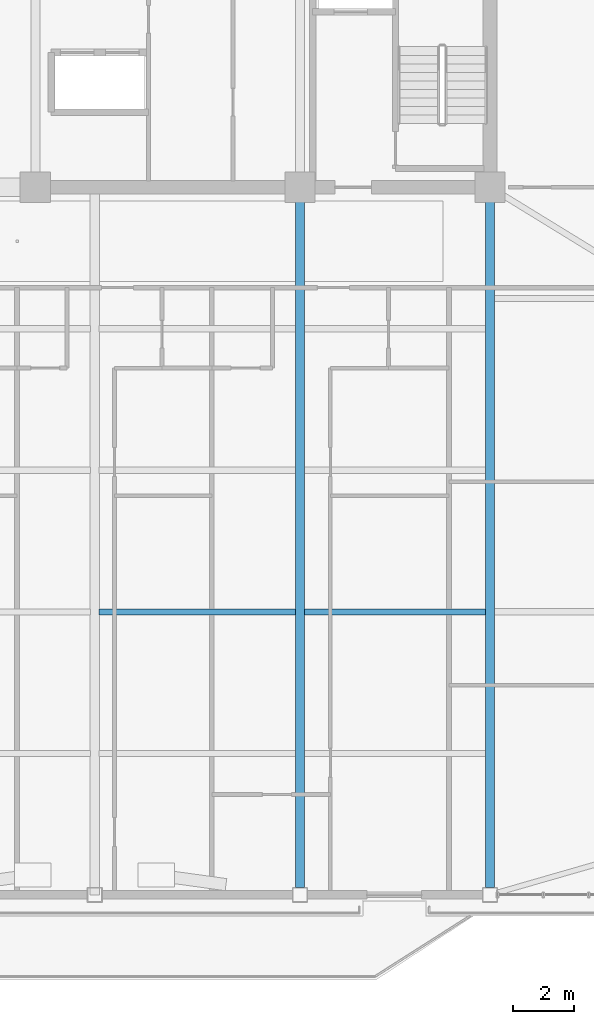
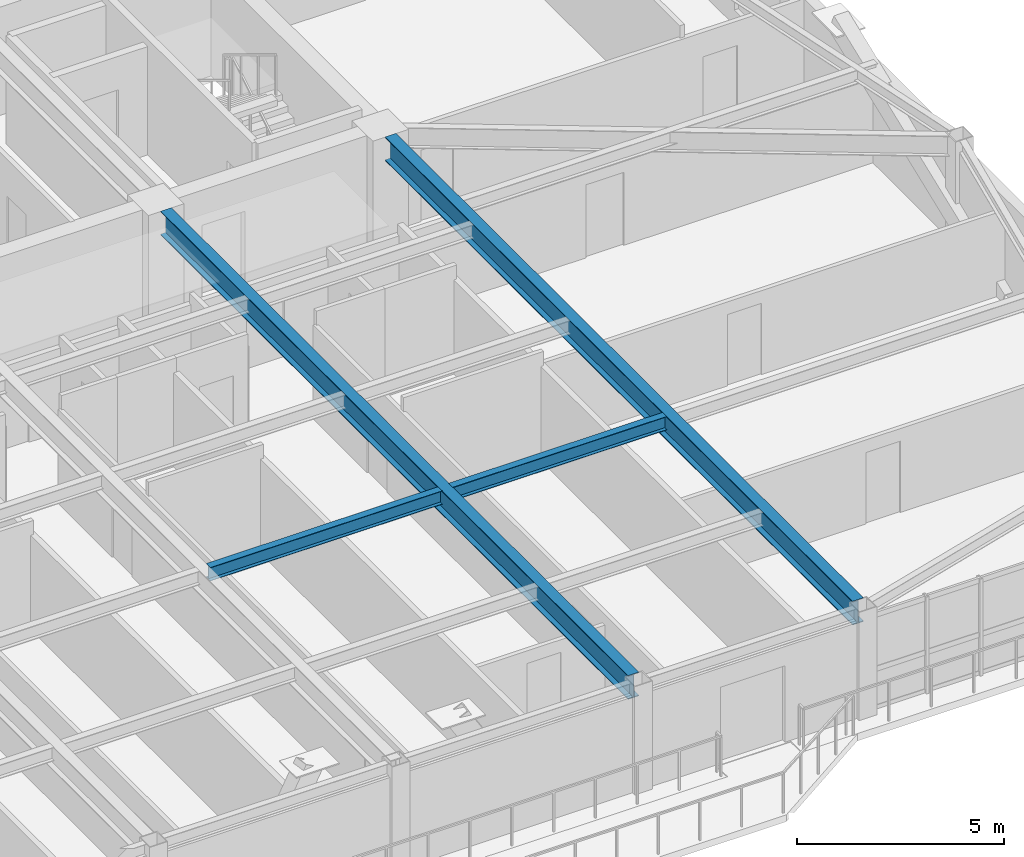
# One storey, part 5 of 19: 4 beams.
"""IFC4 building model written with IfcOpenShell, lengths in metres."""

from ifc_helpers import new_model, si_unit, direction, frame, origin, origin_2d, place, context, subcontext, project, spatial, i_section, extrude, source, transform, mapped, material, material_profile, profile_set, type_object, element, save


model = new_model("IFC4")

# Units and contexts
model_context = context("Model", 3, precision=1e-05, world=origin(), true_north=direction((0.0, 1.0)))
body_context = subcontext(model_context, "Body", "Model", "MODEL_VIEW")
ifc_project = project(units=[si_unit("LENGTHUNIT", "METRE"), si_unit("AREAUNIT", "SQUARE_METRE"), si_unit("VOLUMEUNIT", "CUBIC_METRE"), si_unit("PLANEANGLEUNIT", "RADIAN"), si_unit("MASSUNIT", "GRAM", prefix="KILO")], contexts=[model_context])

# Site, building, storey
site_placement = place(None, origin())
site = spatial("IfcSite", under=ifc_project, at=site_placement, CompositionType="ELEMENT")
building_placement = place(site_placement, origin())
building = spatial("IfcBuilding", under=site, at=building_placement, Name="Giltprow Tower", CompositionType="ELEMENT")
storey_placement = place(building_placement, frame((0.0, 0.0, 241.699951171875)))
storey = spatial("IfcBuildingStorey", under=building, at=storey_placement, Name="L61", CompositionType="ELEMENT", Elevation=241.699951171875)

# Beams
ifc_material = material(Name="Structural steel Q355B", Category="steel")
ifc_material_profile_1 = material_profile(ifc_material, i_section(OverallWidth=0.199951171875, OverallDepth=0.39990234375, WebThickness=0.008056640625, FlangeThickness=0.012939453125, at=origin_2d()), Name="HN 400x200x8x13")
ifc_profile_set_1 = profile_set([ifc_material_profile_1], Name="Structural steel Q355B")
beam_type_1 = type_object("IfcBeamType", Name="BM-JOIST-HN400", PredefinedType="JOIST", material=ifc_profile_set_1)
shared_shape_1 = source(origin(), body_context, "Body", "SweptSolid", [
    extrude(i_section(OverallWidth=0.199951171875, OverallDepth=0.39990234375, WebThickness=0.008056640625, FlangeThickness=0.012939453125, at=origin_2d()), origin(), (0.0, 0.0, 1.0), 6.4599609375),
])
beam_1_placement = place(storey_placement, frame((37.695068359375, 23.489013671875, 2.985107421875), z_axis=(1.0, 0.0, 0.0), x_axis=(0.0, 1.0, 0.0)))
element("IfcBeam", 1, at=beam_1_placement, inside=storey, type_object=beam_type_1, Name="L61 Composite Floor Joist 2-3", PredefinedType="JOIST", context=body_context, shape_type="MappedRepresentation", body=[
    mapped(shared_shape_1, transform((0.0, 0.0, 0.0), x_axis=(1.0, 0.0, 0.0), y_axis=(0.0, 1.0, 0.0), z_axis=(0.0, 0.0, 1.0), scale=1.0)),
])
shared_shape_2 = source(origin(), body_context, "Body", "SweptSolid", [
    extrude(i_section(OverallWidth=0.199951171875, OverallDepth=0.39990234375, WebThickness=0.008056640625, FlangeThickness=0.012939453125, at=origin_2d()), origin(), (0.0, 0.0, 1.0), 5.9599609375),
])
beam_2_placement = place(storey_placement, frame((44.445068359375, 23.489013671875, 2.985107421875), z_axis=(1.0, 0.0, 0.0), x_axis=(0.0, 1.0, 0.0)))
element("IfcBeam", 2, at=beam_2_placement, inside=storey, type_object=beam_type_1, Name="L61 Composite Floor Joist 2-4", PredefinedType="JOIST", context=body_context, shape_type="MappedRepresentation", body=[
    mapped(shared_shape_2, transform((0.0, 0.0, 0.0), x_axis=(1.0, 0.0, 0.0), y_axis=(0.0, 1.0, 0.0), z_axis=(0.0, 0.0, 1.0), scale=1.0)),
])
ifc_material_profile_2 = material_profile(ifc_material, i_section(OverallWidth=0.300048828125, OverallDepth=0.699951171875, WebThickness=0.012939453125, FlangeThickness=0.02392578125, at=origin_2d()), Name="HN 700x300x13x24")
ifc_profile_set_2 = profile_set([ifc_material_profile_2], Name="Structural steel Q355B")
beam_type_2 = type_object("IfcBeamType", Name="BM-GIRD-HN700", PredefinedType="BEAM", material=ifc_profile_set_2)
shared_shape_3 = source(origin(), body_context, "Body", "SweptSolid", [
    extrude(i_section(OverallWidth=0.300048828125, OverallDepth=0.699951171875, WebThickness=0.012939453125, FlangeThickness=0.02392578125, at=origin_2d()), origin(), (0.0, 0.0, 1.0), 22.548095703125),
])
for number, where, z_axis, x_axis, name in (
    (3, (44.300048828125, 14.4169921875, 2.8349609375), (0.0, 1.0, 0.0), (-1.0, 0.0, 0.0), "L61 Primary Lease Girder S3"),
    (4, (50.550048828125, 14.4169921875, 2.8349609375), (0.0, 1.0, 0.0), (-1.0, 0.0, 0.0), "L61 Primary Lease Girder S4"),
):
    element("IfcBeam", number, at=place(storey_placement, frame(where, z_axis=z_axis, x_axis=x_axis)), inside=storey, type_object=beam_type_2, Name=name, PredefinedType="BEAM", context=body_context, shape_type="MappedRepresentation", body=[
        mapped(shared_shape_3, transform((0.0, 0.0, 0.0), x_axis=(1.0, 0.0, 0.0), y_axis=(0.0, 1.0, 0.0), z_axis=(0.0, 0.0, 1.0), scale=1.0)),
    ])

save(model, "model.ifc")
